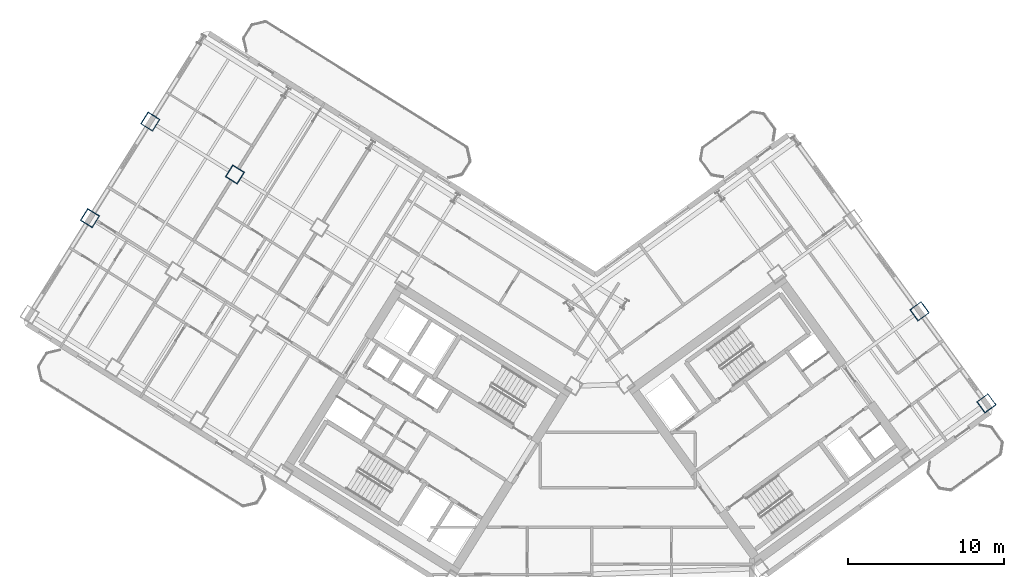
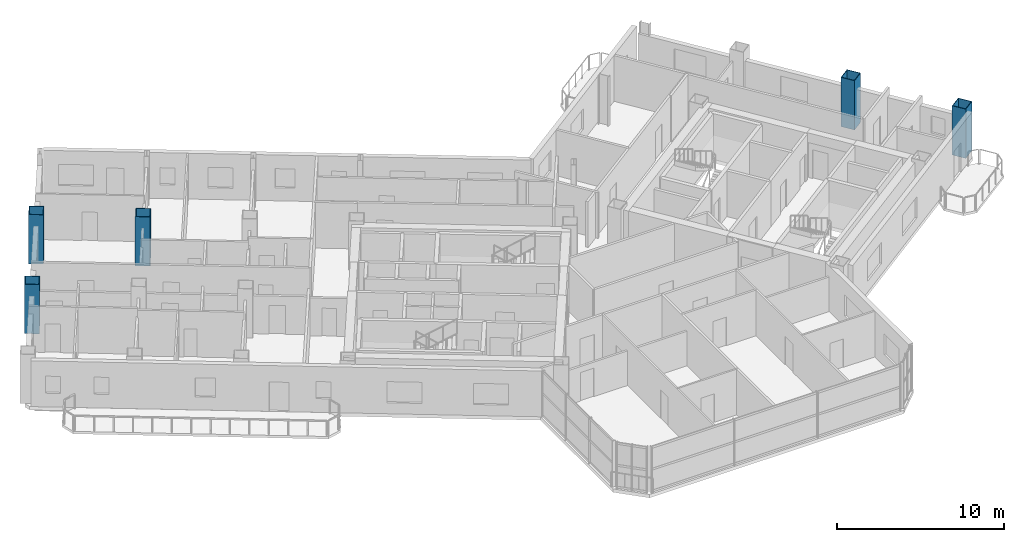
# One storey, part 2 of 20: 5 columns.
"""IFC4 building model written with IfcOpenShell, lengths in metres."""

from ifc_helpers import new_model, si_unit, direction, frame, origin, origin_2d, place, context, subcontext, project, spatial, hollow_rectangle, extrude, source, transform, mapped, material, material_profile, profile_set, type_object, element, save


model = new_model("IFC4")

# Units and contexts
model_context = context("Model", 3, precision=1e-05, world=origin(), true_north=direction((0.0, 1.0)))
body_context = subcontext(model_context, "Body", "Model", "MODEL_VIEW")
ifc_project = project(units=[si_unit("LENGTHUNIT", "METRE"), si_unit("AREAUNIT", "SQUARE_METRE"), si_unit("VOLUMEUNIT", "CUBIC_METRE"), si_unit("PLANEANGLEUNIT", "RADIAN"), si_unit("MASSUNIT", "GRAM", prefix="KILO")], contexts=[model_context])

# Site, building, storey
site_placement = place(None, origin())
site = spatial("IfcSite", under=ifc_project, at=site_placement, CompositionType="ELEMENT")
building_placement = place(site_placement, origin())
building = spatial("IfcBuilding", under=site, at=building_placement, Name="Tlacorven Tower", CompositionType="ELEMENT")
storey_placement = place(building_placement, frame((0.0, 0.0, 108.89990234375)))
storey = spatial("IfcBuildingStorey", under=building, at=storey_placement, Name="L27", CompositionType="ELEMENT", Elevation=108.89990234375)

# Columns
ifc_material = material(Name="Steel S460M", Category="steel")
ifc_material_profile = material_profile(ifc_material, hollow_rectangle(XDim=0.89990234375, YDim=0.89990234375, WallThickness=0.035888671875, at=origin_2d()), Name="BOX 900X900X36")
ifc_profile_set = profile_set([ifc_material_profile], Name="Steel S460M")
column_type = type_object("IfcColumnType", Name="COL-TWR-S2", PredefinedType="COLUMN", material=ifc_profile_set)
shared_shape = source(origin(), body_context, "Body", "SweptSolid", [
    extrude(hollow_rectangle(XDim=0.89990234375, YDim=0.89990234375, WallThickness=0.035888671875, at=origin_2d()), origin(), (0.0, 0.0, 1.0), 3.60009765625),
])
for number, where, z_axis, x_axis, name in (
    (1, (19.072998046875, 38.034423828125, 0.0), (0.0, 0.0, 1.0), (-0.848048096156, 0.529919264233, 0.0), "L27 column COL-L27-W5-2"),
    (2, (13.6455078125, 41.42578125, 0.0), (0.0, 0.0, 1.0), (-0.848048096156, 0.529919264233, 0.0), "L27 column COL-L27-W6-2"),
    (3, (9.777099609375, 35.235107421875, 0.0), (0.0, 0.0, 1.0), (-0.848048096156, 0.529919264233, 0.0), "L27 column COL-L27-W6-3"),
    (4, (67.267822265625, 23.353515625, 0.0), (0.0, 0.0, 1.0), (0.809016994375, 0.587785252292, 0.0), "L27 column COL-L27-E4-1"),
    (5, (62.976806640625, 29.25927734375, 0.0), (0.0, 0.0, 1.0), (0.809016994375, 0.587785252292, 0.0), "L27 column COL-L27-E4-2"),
):
    element("IfcColumn", number, at=place(storey_placement, frame(where, z_axis=z_axis, x_axis=x_axis)), inside=storey, type_object=column_type, Name=name, PredefinedType="COLUMN", context=body_context, shape_type="MappedRepresentation", body=[
        mapped(shared_shape, transform((0.0, 0.0, 0.0), scale=1.0)),
    ])

save(model, "model.ifc")
